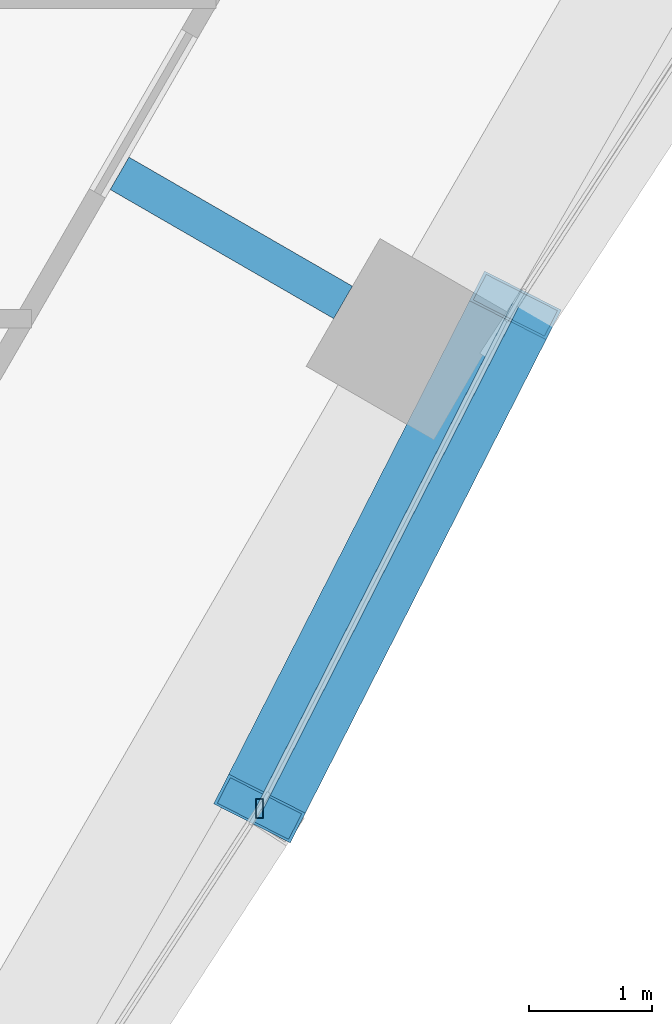
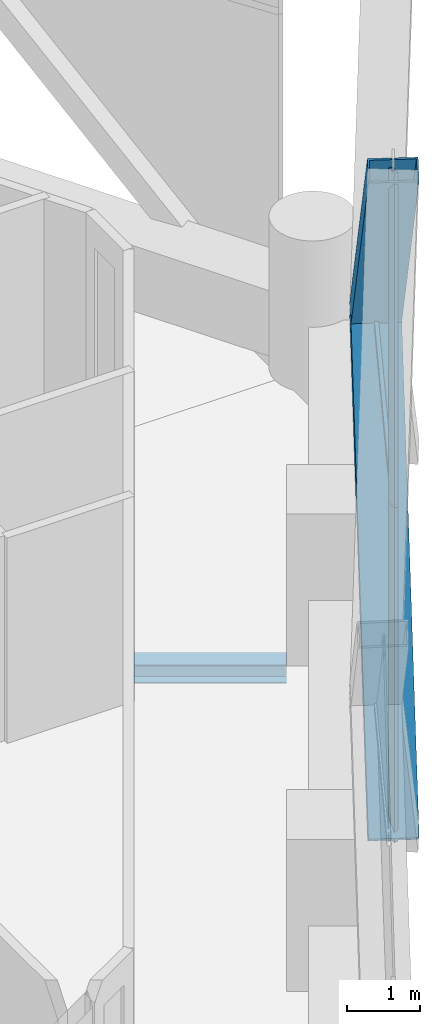
# One storey, part 7 of 21: 5 members, 1 beam, 2 elements without a shape of their own.
"""IFC4 building model written with IfcOpenShell, lengths in metres."""

from ifc_helpers import new_model, si_unit, direction, frame, origin, origin_2d, place, context, subcontext, project, spatial, hollow_rectangle, i_section, extrude, material, material_profile, profile_set, type_object, element, aggregate, save


model = new_model("IFC4")

# Units and contexts
model_context = context("Model", 3, precision=1e-05, world=origin(), true_north=direction((0.0, 1.0)))
body_context = subcontext(model_context, "Body", "Model", "MODEL_VIEW")
ifc_project = project(units=[si_unit("LENGTHUNIT", "METRE"), si_unit("AREAUNIT", "SQUARE_METRE"), si_unit("VOLUMEUNIT", "CUBIC_METRE"), si_unit("PLANEANGLEUNIT", "RADIAN"), si_unit("MASSUNIT", "GRAM", prefix="KILO")], contexts=[model_context])

# Site, building, storey
site_placement = place(None, origin())
site = spatial("IfcSite", under=ifc_project, at=site_placement, CompositionType="ELEMENT")
building_placement = place(site_placement, origin())
building = spatial("IfcBuilding", under=site, at=building_placement, Name="Ostrander Bayou Hotel Tower", CompositionType="ELEMENT")
storey_placement = place(building_placement, frame((0.0, 0.0, 116.0)))
storey = spatial("IfcBuildingStorey", under=building, at=storey_placement, Name="L28", CompositionType="ELEMENT", Elevation=116.0)

# Curtain wall, members
ifc_material_1 = material(Name="Aluminium and clear glass", Category="aluminium")
curtain_wall_type = type_object("IfcCurtainWallType", Name="CW-LAT lattice glazing", PredefinedType="NOTDEFINED", material=ifc_material_1)
curtain_wall_1_placement = place(storey_placement, origin())
curtain_wall_1 = element("IfcCurtainWall", 1, at=curtain_wall_1_placement, inside=storey, type_object=curtain_wall_type, Name="CW-LAT L28 SE 1", PredefinedType="NOTDEFINED")
ifc_material_2 = material(Name="Aluminium", Category="aluminium")
ifc_material_profile_1 = material_profile(ifc_material_2, hollow_rectangle(XDim=0.06005859375, YDim=0.159912109375, WallThickness=0.00390625, at=origin_2d()))
ifc_profile_set_1 = profile_set([ifc_material_profile_1], Name="Aluminium")
member_type_1 = type_object("IfcMemberType", Name="CW-LA mullion 60 x 160 mm", PredefinedType="MULLION", material=ifc_profile_set_1)
member_1_placement = place(storey_placement, frame((17.814208984375, -10.284912109375, -0.60009765625), z_axis=(0.0, 0.0, 1.0), x_axis=(1.0, 0.0, 0.0)))
member_1 = element("IfcMember", 2, at=member_1_placement, type_object=member_type_1, Name="CW-LAT mullion 4", PredefinedType="MULLION", context=body_context, shape_type="SweptSolid", body=[
    extrude(hollow_rectangle(XDim=0.06005859375, YDim=0.159912109375, WallThickness=0.00390625, at=origin_2d()), origin(), (0.0, 0.0, 1.0), 5.625),
])
member_2_placement = place(storey_placement, frame((17.814208984375, -10.284912109375, 5.02490234375), z_axis=(0.0, 0.0, 1.0), x_axis=(1.0, 0.0, 0.0)))
member_2 = element("IfcMember", 3, at=member_2_placement, type_object=member_type_1, Name="CW-LAT mullion 5", PredefinedType="MULLION", context=body_context, shape_type="SweptSolid", body=[
    extrude(hollow_rectangle(XDim=0.06005859375, YDim=0.159912109375, WallThickness=0.00390625, at=origin_2d()), origin(), (0.0, 0.0, 1.0), 5.625),
])
aggregate(curtain_wall_1, [member_1, member_2])

# Curtain wall, member
curtain_wall_2_placement = place(storey_placement, origin())
curtain_wall_2 = element("IfcCurtainWall", 4, at=curtain_wall_2_placement, inside=storey, type_object=curtain_wall_type, Name="CW-LAT L28 SE 2", PredefinedType="NOTDEFINED")
ifc_material_3 = material(Name="Aluminium", Category="aluminium")
ifc_material_profile_2 = material_profile(ifc_material_3, hollow_rectangle(XDim=0.06005859375, YDim=0.1201171875, WallThickness=0.00390625, at=origin_2d()))
ifc_profile_set_2 = profile_set([ifc_material_profile_2], Name="Aluminium")
member_type_2 = type_object("IfcMemberType", Name="CW-LA transom 60 x 120 mm", PredefinedType="USERDEFINED", material=ifc_profile_set_2)
member_3_placement = place(storey_placement, frame((17.814208984375, -10.284912109375, 5.02490234375), z_axis=(0.453240950376, 0.891388041709, 0.0), x_axis=(-0.891388041709, 0.453240950376, 0.0)))
member_3 = element("IfcMember", 5, at=member_3_placement, type_object=member_type_2, Name="CW-LAT transom 7", ObjectType="TRANSOM", PredefinedType="USERDEFINED", context=body_context, shape_type="SweptSolid", body=[
    extrude(hollow_rectangle(XDim=0.06005859375, YDim=0.1201171875, WallThickness=0.00390625, at=origin_2d()), origin(), (0.0, 0.0, 1.0), 4.59375),
])
aggregate(curtain_wall_2, [member_3])

# Beam
ifc_material_4 = material(Name="Steel ASTM A992", Category="steel")
ifc_material_profile_3 = material_profile(ifc_material_4, i_section(OverallWidth=0.3046875, OverallDepth=0.307861328125, WebThickness=0.010009765625, FlangeThickness=0.015380859375, at=origin_2d()))
ifc_profile_set_3 = profile_set([ifc_material_profile_3], Name="Steel ASTM A992")
beam_type = type_object("IfcBeamType", Name="LB1 loggia bracket W12x65", PredefinedType="BEAM", material=ifc_profile_set_3)
beam_placement = place(storey_placement, frame((18.494384765625, -6.166748046875, -0.453857421875), z_axis=(-0.866009402589, 0.500027713859, 0.0), x_axis=(-0.500027713859, -0.866009402589, 0.0)))
element("IfcBeam", 6, at=beam_placement, inside=storey, type_object=beam_type, Name="LB1 L28 SE2", PredefinedType="BEAM", context=body_context, shape_type="SweptSolid", body=[
    extrude(i_section(OverallWidth=0.3046875, OverallDepth=0.307861328125, WebThickness=0.010009765625, FlangeThickness=0.015380859375, at=origin_2d()), origin(), (0.0, 0.0, 1.0), 2.10009765625),
])

# Members
ifc_material_5 = material(Name="Steel ASTM A572 Gr 50", Category="steel")
ifc_material_profile_4 = material_profile(ifc_material_5, hollow_rectangle(XDim=0.699951171875, YDim=0.35009765625, WallThickness=0.02490234375, at=origin_2d()))
ifc_profile_set_4 = profile_set([ifc_material_profile_4], Name="Steel ASTM A572 Gr 50")
member_type_3 = type_object("IfcMemberType", Name="LT1 lattice member box 700 x 350 x 25 mm", PredefinedType="BRACE", material=ifc_profile_set_4)
for number, where, z_axis, x_axis, name in (
    (7, (19.896240234375, -6.190185546875, 5.02490234375), (-0.286686905249, -0.563826544892, -0.77453873088), (0.891388041709, -0.453240950376, 0.0), "LT1 L28 SE 5"),
    (8, (19.896240234375, -6.190185546875, 5.02490234375), (-0.286686905249, -0.563826544892, 0.77453873088), (0.891388041709, -0.453240950376, 0.0), "LT1 L28 SE 6"),
):
    element("IfcMember", number, at=place(storey_placement, frame(where, z_axis=z_axis, x_axis=x_axis)), inside=storey, type_object=member_type_3, Name=name, PredefinedType="BRACE", context=body_context, shape_type="SweptSolid", body=[
        extrude(hollow_rectangle(XDim=0.699951171875, YDim=0.35009765625, WallThickness=0.02490234375, at=origin_2d()), origin(), (0.0, 0.0, 1.0), 7.262451171875),
    ])

save(model, "model.ifc")
